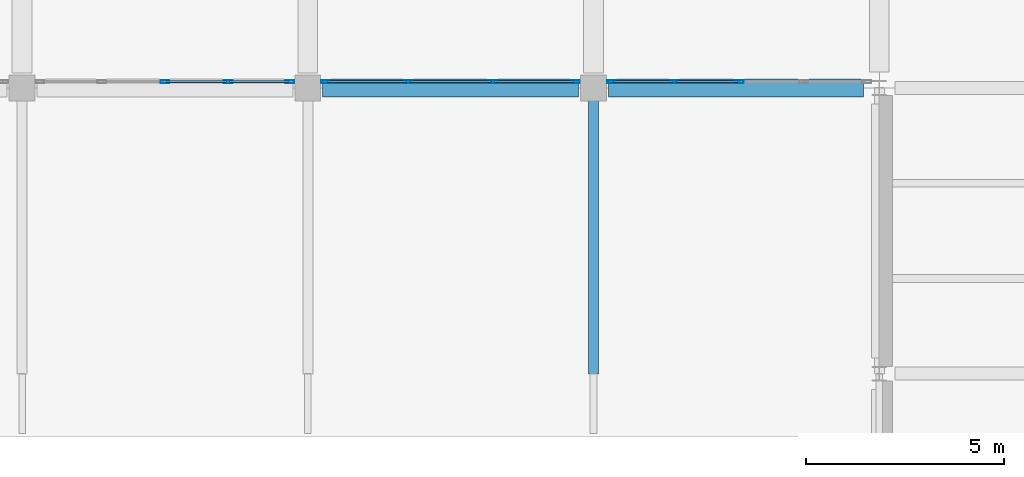
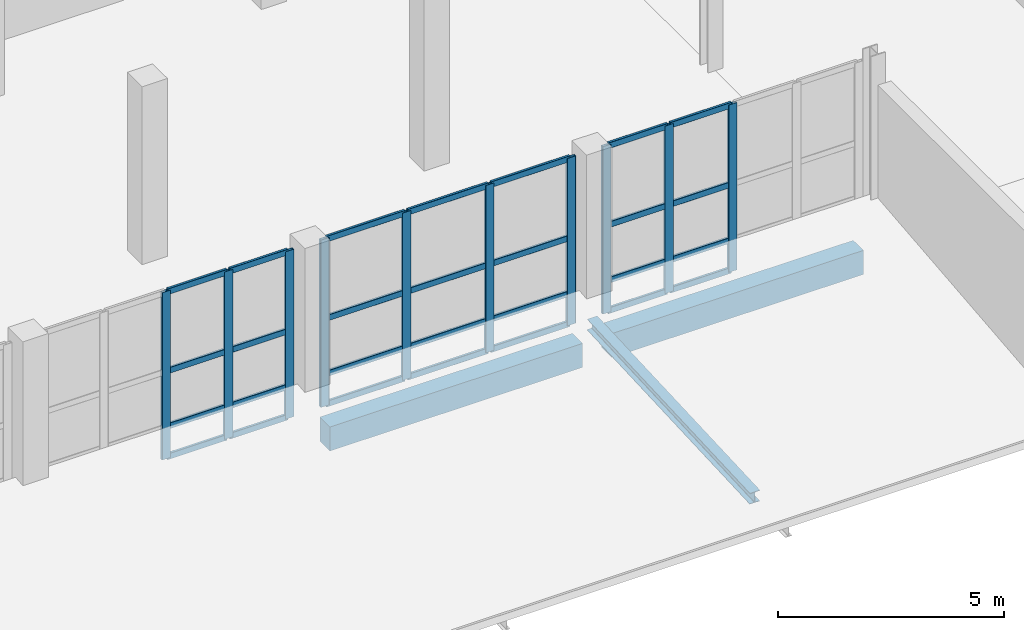
# One storey, part 30 of 127: 38 members, 3 beams, 3 elements without a shape of their own.
"""IFC4 building model written with IfcOpenShell, lengths in metres."""

import ifcopenshell
import ifcopenshell.guid

model = None  # the IFC model being written
_history = None  # IfcOwnerHistory: only IFC2X3 demands one
_inside = {}  # id of a spatial element -> (the spatial element, [elements in it])
_under = {}  # id of a project, library or spatial element -> (it, [spatial elements below it])
_declared = {}  # id of a project -> (the project, [libraries it declares])
_typed = {}  # id of a type object -> (the type object, [elements of that type])
_made_of = {}  # id of a material, layer set ... -> (it, [elements and type objects made of it])


def new_model(schema):
    """Start an empty IFC model of exactly this schema.

    Asked for "IFC4X3", IfcOpenShell would pick the latest addendum, in which some entities
    have other attributes; the version numbers below select the first issue.
    IFC2X3 requires an IfcOwnerHistory on every rooted entity: one is made here for all.
    """
    global model, _history
    if schema == "IFC4X3":
        model = ifcopenshell.file(schema_version=(4, 3, 0, 0))
    else:
        model = ifcopenshell.file(schema=schema)
    _inside.clear()
    _under.clear()
    _declared.clear()
    _typed.clear()
    _made_of.clear()
    _history = None
    if model.schema == "IFC2X3":
        org = make("IfcOrganization", Name="unknown")
        user = make(
            "IfcPersonAndOrganization",
            ThePerson=make("IfcPerson", FamilyName="unknown"),
            TheOrganization=org,
        )
        app = make(
            "IfcApplication",
            ApplicationDeveloper=org,
            Version="unknown",
            ApplicationFullName="unknown",
            ApplicationIdentifier="unknown",
        )
        _history = make(
            "IfcOwnerHistory",
            OwningUser=user,
            OwningApplication=app,
            ChangeAction="ADDED",
            CreationDate=0,
        )
    return model


def make(cls, **values):
    """One entity of the class cls with the attributes given. An attribute that is None is left unset."""
    return model.create_entity(
        cls, **{name: value for name, value in values.items() if value is not None}
    )


def rooted(cls, **values):
    """An entity with a GlobalId (a new one), such as an element, a storey or a relation."""
    return make(cls, GlobalId=ifcopenshell.guid.new(), OwnerHistory=_history, **values)


def si_unit(unit_type, name, prefix=None):
    """IfcSIUnit, for example si_unit("LENGTHUNIT", "METRE", prefix="MILLI")."""
    return make("IfcSIUnit", UnitType=unit_type, Prefix=prefix, Name=name)


def assignment(units):
    """IfcUnitAssignment: the units of a project."""
    return None if units is None else make("IfcUnitAssignment", Units=units)


def point(xyz):
    """IfcCartesianPoint."""
    return None if xyz is None else make("IfcCartesianPoint", Coordinates=xyz)


def direction(xyz):
    """IfcDirection."""
    return None if xyz is None else make("IfcDirection", DirectionRatios=xyz)


def frame(location, z_axis=None, x_axis=None):
    """IfcAxis2Placement3D, a coordinate frame: its origin and axes. An axis left out is left unset."""
    return make(
        "IfcAxis2Placement3D",
        Location=point(location),
        Axis=direction(z_axis),
        RefDirection=direction(x_axis),
    )


def frame_2d(location, x_axis=None):
    """IfcAxis2Placement2D, a coordinate frame in the plane: its origin and x axis."""
    return make(
        "IfcAxis2Placement2D", Location=point(location), RefDirection=direction(x_axis)
    )


def origin():
    """The frame at (0, 0, 0) with its axes left unset."""
    return frame((0.0, 0.0, 0.0))


def origin_2d():
    """The frame at (0, 0) in the plane with its x axis left unset."""
    return frame_2d((0.0, 0.0))


def place(relative_to, where):
    """IfcLocalPlacement: puts the frame where relative to a parent placement (None: the world)."""
    return make(
        "IfcLocalPlacement", PlacementRelTo=relative_to, RelativePlacement=where
    )


def context(
    kind, dimensions, precision=None, world=None, true_north=None, identifier=None
):
    """IfcGeometricRepresentationContext, for example the 3D "Model" context."""
    return make(
        "IfcGeometricRepresentationContext",
        ContextIdentifier=identifier,
        ContextType=kind,
        CoordinateSpaceDimension=dimensions,
        Precision=precision,
        WorldCoordinateSystem=world,
        TrueNorth=true_north,
    )


def subcontext(parent, identifier, kind, view, scale=None):
    """IfcGeometricRepresentationSubContext, for example "Body" below "Model"."""
    return make(
        "IfcGeometricRepresentationSubContext",
        ContextIdentifier=identifier,
        ContextType=kind,
        ParentContext=parent,
        TargetScale=scale,
        TargetView=view,
    )


def project(units=None, contexts=None):
    """IfcProject with its units and contexts."""
    return rooted(
        "IfcProject",
        Name="project",
        RepresentationContexts=contexts,
        UnitsInContext=assignment(units),
    )


def spatial(cls, under=None, at=None, **own):
    """A site, building, storey or space (cls), placed at a placement, below another one or the project."""
    s = rooted(cls, ObjectPlacement=at, **own)
    if under is not None:
        _under.setdefault(under.id(), (under, []))[1].append(s)
    return s


def profile(cls, at=None, kind="AREA", **sizes):
    """A parametric profile (cls). Its sizes go by their IFC names, for example OverallWidth=200.0."""
    return make(cls, ProfileType=kind, Position=at, **sizes)


def rectangle(**sizes):
    """IfcRectangleProfileDef."""
    return profile("IfcRectangleProfileDef", **sizes)


def hollow_rectangle(**sizes):
    """IfcRectangleHollowProfileDef."""
    return profile("IfcRectangleHollowProfileDef", **sizes)


def i_section(**sizes):
    """IfcIShapeProfileDef."""
    return profile("IfcIShapeProfileDef", **sizes)


def extrude(swept, where, along, depth):
    """IfcExtrudedAreaSolid: the profile swept, set in the frame where, extruded along a direction by depth."""
    return make(
        "IfcExtrudedAreaSolid",
        SweptArea=swept,
        Position=where,
        ExtrudedDirection=direction(along),
        Depth=depth,
    )


def shape(context_of_items, identifier, shape_type, items):
    """IfcShapeRepresentation: the items that make up one representation, for example the "Body"."""
    return make(
        "IfcShapeRepresentation",
        ContextOfItems=context_of_items,
        RepresentationIdentifier=identifier,
        RepresentationType=shape_type,
        Items=items,
    )


def material(Name=None, Category=None):
    """IfcMaterial."""
    return make("IfcMaterial", Name=Name, Category=Category)


def material_profile(
    of_material, cross_section, Name=None, Category=None, Priority=None
):
    """IfcMaterialProfile: a cross section and its material."""
    return make(
        "IfcMaterialProfile",
        Name=Name,
        Material=of_material,
        Profile=cross_section,
        Priority=Priority,
        Category=Category,
    )


def profile_set(profiles, Name=None, composite=None):
    """IfcMaterialProfileSet."""
    return make(
        "IfcMaterialProfileSet",
        Name=Name,
        MaterialProfiles=profiles,
        CompositeProfile=composite,
    )


def made_of(thing, what):
    """Note that an element or type object is made of a material, layer set ...; save() writes the relation."""
    if what is not None:
        _made_of.setdefault(what.id(), (what, []))[1].append(thing)
    return thing


def type_object(cls, material=None, **own):
    """A type object (cls), such as IfcWallType, which elements share."""
    return made_of(rooted(cls, **own), material)


def element(
    cls,
    number,
    at=None,
    inside=None,
    cuts=None,
    type_object=None,
    material=None,
    context=None,
    identifier="Body",
    shape_type=None,
    held_by="IfcProductDefinitionShape",
    body=None,
    shapes=None,
    **own,
):
    """One element of the class cls, such as IfcWall. Its Tag is "e" and its number.

    at: its placement. inside: the storey or other place that contains it. cuts: it is an
    opening in that element (IfcRelVoidsElement). A single representation is given by context,
    identifier, shape_type and body (its items); several are given by shapes. held_by: the class
    of the entity that holds the representations. save() writes the other relations.
    """
    e = rooted(cls, Tag="e%d" % number, ObjectPlacement=at, **own)
    if body is not None:
        shapes = [shape(context, identifier, shape_type, body)]
    if shapes is not None:
        e.Representation = make(held_by, Representations=shapes)
    if inside is not None:
        _inside.setdefault(inside.id(), (inside, []))[1].append(e)
    if cuts is not None:
        rooted(
            "IfcRelVoidsElement", RelatingBuildingElement=cuts, RelatedOpeningElement=e
        )
    if type_object is not None:
        _typed.setdefault(type_object.id(), (type_object, []))[1].append(e)
    return made_of(e, material)


def aggregate(whole, parts):
    """IfcRelAggregates: a whole, such as a stair, and the parts it consists of."""
    return rooted("IfcRelAggregates", RelatingObject=whole, RelatedObjects=parts)


def save(model, path):
    """Write the relations noted so far, then the file.

    IfcRelAggregates (storeys below a building ...), IfcRelContainedInSpatialStructure (elements
    in a storey), IfcRelDefinesByType, IfcRelAssociatesMaterial and IfcRelDeclares: one each for
    every whole, place, type object, material and project.
    """
    for whole, parts in _under.values():
        aggregate(whole, parts)
    for where, things in _inside.values():
        rooted(
            "IfcRelContainedInSpatialStructure",
            RelatedElements=things,
            RelatingStructure=where,
        )
    for kind, things in _typed.values():
        rooted("IfcRelDefinesByType", RelatedObjects=things, RelatingType=kind)
    for what, things in _made_of.values():
        rooted("IfcRelAssociatesMaterial", RelatedObjects=things, RelatingMaterial=what)
    for by, libraries in _declared.values():
        rooted("IfcRelDeclares", RelatingContext=by, RelatedDefinitions=libraries)
    model.write(path)


model = new_model("IFC4")

# Units and contexts
model_context = context("Model", 3, precision=1e-05, world=origin(), true_north=direction((0.0, 1.0)))
body_context = subcontext(model_context, "Body", "Model", "MODEL_VIEW")
ifc_project = project(units=[si_unit("LENGTHUNIT", "METRE"), si_unit("AREAUNIT", "SQUARE_METRE"), si_unit("VOLUMEUNIT", "CUBIC_METRE"), si_unit("PLANEANGLEUNIT", "RADIAN"), si_unit("MASSUNIT", "GRAM", prefix="KILO")], contexts=[model_context])

# Site, building, storey
site_placement = place(None, origin())
site = spatial("IfcSite", under=ifc_project, at=site_placement, CompositionType="ELEMENT")
building_placement = place(site_placement, origin())
building = spatial("IfcBuilding", under=site, at=building_placement, Name="Kalmorath City Hall", CompositionType="ELEMENT")
storey_placement = place(building_placement, frame((0.0, 0.0, 5.39990234375)))
storey = spatial("IfcBuildingStorey", under=building, at=storey_placement, Name="L01", CompositionType="ELEMENT", Elevation=5.39990234375)

# Beams
ifc_material_1 = material(Name="Concrete C40/50", Category="concrete")
ifc_material_profile_1 = material_profile(ifc_material_1, rectangle(XDim=0.449951171875, YDim=0.64990234375, at=origin_2d()), Name="RC-BM-450X650")
ifc_profile_set_1 = profile_set([ifc_material_profile_1], Name="Concrete C40/50")
beam_type_1 = type_object("IfcBeamType", Name="Concrete spandrel beam 450x650", PredefinedType="SPANDREL", material=ifc_profile_set_1)
beam_1_placement = place(storey_placement, frame((101.175048828125, 21.60009765625, -0.64892578125), z_axis=(1.0, 0.0, 0.0), x_axis=(0.0, 1.0, 0.0)))
element("IfcBeam", 1, at=beam_1_placement, inside=storey, type_object=beam_type_1, Name="L01 girder CB5 X15-16/4", PredefinedType="SPANDREL", context=body_context, shape_type="SweptSolid", body=[
    extrude(rectangle(XDim=0.449951171875, YDim=0.64990234375, at=origin_2d()), origin(), (0.0, 0.0, 1.0), 6.449951171875),
])
beam_2_placement = place(storey_placement, frame((108.375, 21.60009765625, -0.64892578125), z_axis=(1.0, 0.0, 0.0), x_axis=(0.0, 1.0, 0.0)))
element("IfcBeam", 2, at=beam_2_placement, inside=storey, type_object=beam_type_1, Name="L01 girder CB5 X16-17/4", PredefinedType="SPANDREL", context=body_context, shape_type="SweptSolid", body=[
    extrude(rectangle(XDim=0.449951171875, YDim=0.64990234375, at=origin_2d()), origin(), (0.0, 0.0, 1.0), 6.425048828125),
])

# Curtain wall, members
ifc_material_2 = material(Name="Anodised aluminium and laminated glass", Category="aluminium")
curtain_wall_type_1 = type_object("IfcCurtainWallType", Name="Unitised hurricane curtain wall 6508x4520 M1500", PredefinedType="NOTDEFINED", material=ifc_material_2)
curtain_wall_1_placement = place(storey_placement, origin())
curtain_wall_1 = element("IfcCurtainWall", 3, at=curtain_wall_1_placement, inside=storey, type_object=curtain_wall_type_1, Name="L01 curtain wall CW-65X45M15 #67", PredefinedType="NOTDEFINED")
ifc_material_3 = material(Name="Anodised aluminium framing", Category="aluminium")
ifc_material_profile_2 = material_profile(ifc_material_3, hollow_rectangle(XDim=0.074951171875, YDim=0.219970703125, WallThickness=0.00390625, InnerFilletRadius=0.00390625, OuterFilletRadius=0.008056640625, at=origin_2d()), Name="ALU-MUL-220X75X4")
ifc_profile_set_2 = profile_set([ifc_material_profile_2], Name="Anodised aluminium framing")
member_type_1 = type_object("IfcMemberType", Name="Curtain-wall primary mullion 220x75", PredefinedType="MULLION", material=ifc_profile_set_2)
member_1_placement = place(storey_placement, frame((111.6689453125, 21.760009765625, 0.0), z_axis=(0.0, 0.0, 1.0), x_axis=(0.0, -1.0, 0.0)))
member_1 = element("IfcMember", 4, at=member_1_placement, type_object=member_type_1, Name="CW-65X45M15 mullion 3", PredefinedType="MULLION", context=body_context, shape_type="SweptSolid", body=[
    extrude(hollow_rectangle(XDim=0.074951171875, YDim=0.219970703125, WallThickness=0.00390625, InnerFilletRadius=0.00390625, OuterFilletRadius=0.008056640625, at=origin_2d()), origin(), (0.0, 0.0, 1.0), 4.52001953125),
])
member_2_placement = place(storey_placement, frame((110.0419921875, 21.760009765625, 0.0), z_axis=(0.0, 0.0, 1.0), x_axis=(0.0, -1.0, 0.0)))
member_2 = element("IfcMember", 5, at=member_2_placement, type_object=member_type_1, Name="CW-65X45M15 mullion 4", PredefinedType="MULLION", context=body_context, shape_type="SweptSolid", body=[
    extrude(hollow_rectangle(XDim=0.074951171875, YDim=0.219970703125, WallThickness=0.00390625, InnerFilletRadius=0.00390625, OuterFilletRadius=0.008056640625, at=origin_2d()), origin(), (0.0, 0.0, 1.0), 4.52001953125),
])
member_3_placement = place(storey_placement, frame((108.452392578125, 21.760009765625, 0.0), z_axis=(0.0, 0.0, 1.0), x_axis=(0.0, -1.0, 0.0)))
member_3 = element("IfcMember", 6, at=member_3_placement, type_object=member_type_1, Name="CW-65X45M15 mullion 5", PredefinedType="MULLION", context=body_context, shape_type="SweptSolid", body=[
    extrude(hollow_rectangle(XDim=0.074951171875, YDim=0.219970703125, WallThickness=0.00390625, InnerFilletRadius=0.00390625, OuterFilletRadius=0.008056640625, at=origin_2d()), origin(), (0.0, 0.0, 1.0), 4.52001953125),
])

ifc_material_4 = material(Name="Anodised aluminium and laminated glass", Category="aluminium")
curtain_wall_type_2 = type_object("IfcCurtainWallType", Name="Unitised hurricane curtain wall 6370x4520 M2100", PredefinedType="NOTDEFINED", material=ifc_material_4)
curtain_wall_2_placement = place(storey_placement, origin())
curtain_wall_2 = element("IfcCurtainWall", 7, at=curtain_wall_2_placement, inside=storey, type_object=curtain_wall_type_2, Name="L01 curtain wall CW-64X45M21 #68", PredefinedType="NOTDEFINED")
member_4_placement = place(storey_placement, frame((107.547607421875, 21.760009765625, 0.0), z_axis=(0.0, 0.0, 1.0), x_axis=(0.0, -1.0, 0.0)))
member_4 = element("IfcMember", 8, at=member_4_placement, type_object=member_type_1, Name="CW-64X45M21 mullion 1", PredefinedType="MULLION", context=body_context, shape_type="SweptSolid", body=[
    extrude(hollow_rectangle(XDim=0.074951171875, YDim=0.219970703125, WallThickness=0.00390625, InnerFilletRadius=0.00390625, OuterFilletRadius=0.008056640625, at=origin_2d()), origin(), (0.0, 0.0, 1.0), 4.52001953125),
])
member_5_placement = place(storey_placement, frame((105.461669921875, 21.760009765625, 0.0), z_axis=(0.0, 0.0, 1.0), x_axis=(0.0, -1.0, 0.0)))
member_5 = element("IfcMember", 9, at=member_5_placement, type_object=member_type_1, Name="CW-64X45M21 mullion 2", PredefinedType="MULLION", context=body_context, shape_type="SweptSolid", body=[
    extrude(hollow_rectangle(XDim=0.074951171875, YDim=0.219970703125, WallThickness=0.00390625, InnerFilletRadius=0.00390625, OuterFilletRadius=0.008056640625, at=origin_2d()), origin(), (0.0, 0.0, 1.0), 4.52001953125),
])
member_6_placement = place(storey_placement, frame((103.33837890625, 21.760009765625, 0.0), z_axis=(0.0, 0.0, 1.0), x_axis=(0.0, -1.0, 0.0)))
member_6 = element("IfcMember", 10, at=member_6_placement, type_object=member_type_1, Name="CW-64X45M21 mullion 3", PredefinedType="MULLION", context=body_context, shape_type="SweptSolid", body=[
    extrude(hollow_rectangle(XDim=0.074951171875, YDim=0.219970703125, WallThickness=0.00390625, InnerFilletRadius=0.00390625, OuterFilletRadius=0.008056640625, at=origin_2d()), origin(), (0.0, 0.0, 1.0), 4.52001953125),
])
member_7_placement = place(storey_placement, frame((101.25244140625, 21.760009765625, 0.0), z_axis=(0.0, 0.0, 1.0), x_axis=(0.0, -1.0, 0.0)))
member_7 = element("IfcMember", 11, at=member_7_placement, type_object=member_type_1, Name="CW-64X45M21 mullion 4", PredefinedType="MULLION", context=body_context, shape_type="SweptSolid", body=[
    extrude(hollow_rectangle(XDim=0.074951171875, YDim=0.219970703125, WallThickness=0.00390625, InnerFilletRadius=0.00390625, OuterFilletRadius=0.008056640625, at=origin_2d()), origin(), (0.0, 0.0, 1.0), 4.52001953125),
])

ifc_material_5 = material(Name="Anodised aluminium and laminated glass", Category="aluminium")
curtain_wall_type_3 = type_object("IfcCurtainWallType", Name="Unitised hurricane curtain wall 6370x4520 M1500", PredefinedType="NOTDEFINED", material=ifc_material_5)
curtain_wall_3_placement = place(storey_placement, origin())
curtain_wall_3 = element("IfcCurtainWall", 12, at=curtain_wall_3_placement, inside=storey, type_object=curtain_wall_type_3, Name="L01 curtain wall CW-64X45M15 #69", PredefinedType="NOTDEFINED")
member_8_placement = place(storey_placement, frame((100.347412109375, 21.760009765625, 0.0), z_axis=(0.0, 0.0, 1.0), x_axis=(0.0, -1.0, 0.0)))
member_8 = element("IfcMember", 13, at=member_8_placement, type_object=member_type_1, Name="CW-64X45M15 mullion 1", PredefinedType="MULLION", context=body_context, shape_type="SweptSolid", body=[
    extrude(hollow_rectangle(XDim=0.074951171875, YDim=0.219970703125, WallThickness=0.00390625, InnerFilletRadius=0.00390625, OuterFilletRadius=0.008056640625, at=origin_2d()), origin(), (0.0, 0.0, 1.0), 4.52001953125),
])
member_9_placement = place(storey_placement, frame((98.79248046875, 21.760009765625, 0.0), z_axis=(0.0, 0.0, 1.0), x_axis=(0.0, -1.0, 0.0)))
member_9 = element("IfcMember", 14, at=member_9_placement, type_object=member_type_1, Name="CW-64X45M15 mullion 2", PredefinedType="MULLION", context=body_context, shape_type="SweptSolid", body=[
    extrude(hollow_rectangle(XDim=0.074951171875, YDim=0.219970703125, WallThickness=0.00390625, InnerFilletRadius=0.00390625, OuterFilletRadius=0.008056640625, at=origin_2d()), origin(), (0.0, 0.0, 1.0), 4.52001953125),
])
member_10_placement = place(storey_placement, frame((97.199951171875, 21.760009765625, 0.0), z_axis=(0.0, 0.0, 1.0), x_axis=(0.0, -1.0, 0.0)))
member_10 = element("IfcMember", 15, at=member_10_placement, type_object=member_type_1, Name="CW-64X45M15 mullion 3", PredefinedType="MULLION", context=body_context, shape_type="SweptSolid", body=[
    extrude(hollow_rectangle(XDim=0.074951171875, YDim=0.219970703125, WallThickness=0.00390625, InnerFilletRadius=0.00390625, OuterFilletRadius=0.008056640625, at=origin_2d()), origin(), (0.0, 0.0, 1.0), 4.52001953125),
])

# Member
ifc_material_6 = material(Name="Anodised aluminium framing", Category="aluminium")
ifc_material_profile_3 = material_profile(ifc_material_6, hollow_rectangle(XDim=0.06494140625, YDim=0.159912109375, WallThickness=0.00390625, InnerFilletRadius=0.00390625, OuterFilletRadius=0.008056640625, at=origin_2d()), Name="ALU-TRN-160X65X4")
ifc_profile_set_3 = profile_set([ifc_material_profile_3], Name="Anodised aluminium framing")
member_type_2 = type_object("IfcMemberType", Name="Curtain-wall primary transom 160x65", PredefinedType="USERDEFINED", material=ifc_profile_set_3)
member_11_placement = place(storey_placement, frame((111.631591796875, 21.760009765625, 0.03271484375), z_axis=(-1.0, 0.0, 0.0), x_axis=(0.0, -1.0, 0.0)))
member_11 = element("IfcMember", 16, at=member_11_placement, type_object=member_type_2, Name="CW-65X45M15 transom 3.1", ObjectType="TRANSOM", PredefinedType="USERDEFINED", context=body_context, shape_type="SweptSolid", body=[
    extrude(hollow_rectangle(XDim=0.06494140625, YDim=0.159912109375, WallThickness=0.00390625, InnerFilletRadius=0.00390625, OuterFilletRadius=0.008056640625, at=origin_2d()), origin(), (0.0, 0.0, 1.0), 1.552001953125),
])

member_12_placement = place(storey_placement, frame((111.631591796875, 21.760009765625, 0.85009765625), z_axis=(-1.0, 0.0, 0.0), x_axis=(0.0, -1.0, 0.0)))
member_12 = element("IfcMember", 17, at=member_12_placement, type_object=member_type_2, Name="CW-65X45M15 transom 3.2", ObjectType="TRANSOM", PredefinedType="USERDEFINED", context=body_context, shape_type="SweptSolid", body=[
    extrude(hollow_rectangle(XDim=0.06494140625, YDim=0.159912109375, WallThickness=0.00390625, InnerFilletRadius=0.00390625, OuterFilletRadius=0.008056640625, at=origin_2d()), origin(), (0.0, 0.0, 1.0), 1.552001953125),
])

member_13_placement = place(storey_placement, frame((111.631591796875, 21.760009765625, 2.35009765625), z_axis=(-1.0, 0.0, 0.0), x_axis=(0.0, -1.0, 0.0)))
member_13 = element("IfcMember", 18, at=member_13_placement, type_object=member_type_2, Name="CW-65X45M15 transom 3.3", ObjectType="TRANSOM", PredefinedType="USERDEFINED", context=body_context, shape_type="SweptSolid", body=[
    extrude(hollow_rectangle(XDim=0.06494140625, YDim=0.159912109375, WallThickness=0.00390625, InnerFilletRadius=0.00390625, OuterFilletRadius=0.008056640625, at=origin_2d()), origin(), (0.0, 0.0, 1.0), 1.552001953125),
])

member_14_placement = place(storey_placement, frame((111.631591796875, 21.760009765625, 4.487548828125), z_axis=(-1.0, 0.0, 0.0), x_axis=(0.0, -1.0, 0.0)))
member_14 = element("IfcMember", 19, at=member_14_placement, type_object=member_type_2, Name="CW-65X45M15 transom 3.4", ObjectType="TRANSOM", PredefinedType="USERDEFINED", context=body_context, shape_type="SweptSolid", body=[
    extrude(hollow_rectangle(XDim=0.06494140625, YDim=0.159912109375, WallThickness=0.00390625, InnerFilletRadius=0.00390625, OuterFilletRadius=0.008056640625, at=origin_2d()), origin(), (0.0, 0.0, 1.0), 1.552001953125),
])

member_15_placement = place(storey_placement, frame((110.00439453125, 21.760009765625, 0.03271484375), z_axis=(-1.0, 0.0, 0.0), x_axis=(0.0, -1.0, 0.0)))
member_15 = element("IfcMember", 20, at=member_15_placement, type_object=member_type_2, Name="CW-65X45M15 transom 4.1", ObjectType="TRANSOM", PredefinedType="USERDEFINED", context=body_context, shape_type="SweptSolid", body=[
    extrude(hollow_rectangle(XDim=0.06494140625, YDim=0.159912109375, WallThickness=0.00390625, InnerFilletRadius=0.00390625, OuterFilletRadius=0.008056640625, at=origin_2d()), origin(), (0.0, 0.0, 1.0), 1.514404296875),
])

member_16_placement = place(storey_placement, frame((110.00439453125, 21.760009765625, 0.85009765625), z_axis=(-1.0, 0.0, 0.0), x_axis=(0.0, -1.0, 0.0)))
member_16 = element("IfcMember", 21, at=member_16_placement, type_object=member_type_2, Name="CW-65X45M15 transom 4.2", ObjectType="TRANSOM", PredefinedType="USERDEFINED", context=body_context, shape_type="SweptSolid", body=[
    extrude(hollow_rectangle(XDim=0.06494140625, YDim=0.159912109375, WallThickness=0.00390625, InnerFilletRadius=0.00390625, OuterFilletRadius=0.008056640625, at=origin_2d()), origin(), (0.0, 0.0, 1.0), 1.514404296875),
])

member_17_placement = place(storey_placement, frame((110.00439453125, 21.760009765625, 2.35009765625), z_axis=(-1.0, 0.0, 0.0), x_axis=(0.0, -1.0, 0.0)))
member_17 = element("IfcMember", 22, at=member_17_placement, type_object=member_type_2, Name="CW-65X45M15 transom 4.3", ObjectType="TRANSOM", PredefinedType="USERDEFINED", context=body_context, shape_type="SweptSolid", body=[
    extrude(hollow_rectangle(XDim=0.06494140625, YDim=0.159912109375, WallThickness=0.00390625, InnerFilletRadius=0.00390625, OuterFilletRadius=0.008056640625, at=origin_2d()), origin(), (0.0, 0.0, 1.0), 1.514404296875),
])

member_18_placement = place(storey_placement, frame((110.00439453125, 21.760009765625, 4.487548828125), z_axis=(-1.0, 0.0, 0.0), x_axis=(0.0, -1.0, 0.0)))
member_18 = element("IfcMember", 23, at=member_18_placement, type_object=member_type_2, Name="CW-65X45M15 transom 4.4", ObjectType="TRANSOM", PredefinedType="USERDEFINED", context=body_context, shape_type="SweptSolid", body=[
    extrude(hollow_rectangle(XDim=0.06494140625, YDim=0.159912109375, WallThickness=0.00390625, InnerFilletRadius=0.00390625, OuterFilletRadius=0.008056640625, at=origin_2d()), origin(), (0.0, 0.0, 1.0), 1.514404296875),
])

aggregate(curtain_wall_1, [member_1, member_2, member_3, member_11, member_12, member_13, member_14, member_15, member_16, member_17, member_18])

member_19_placement = place(storey_placement, frame((107.510009765625, 21.760009765625, 0.03271484375), z_axis=(-1.0, 0.0, 0.0), x_axis=(0.0, -1.0, 0.0)))
member_19 = element("IfcMember", 24, at=member_19_placement, type_object=member_type_2, Name="CW-64X45M21 transom 1.1", ObjectType="TRANSOM", PredefinedType="USERDEFINED", context=body_context, shape_type="SweptSolid", body=[
    extrude(hollow_rectangle(XDim=0.06494140625, YDim=0.159912109375, WallThickness=0.00390625, InnerFilletRadius=0.00390625, OuterFilletRadius=0.008056640625, at=origin_2d()), origin(), (0.0, 0.0, 1.0), 2.0107421875),
])

member_20_placement = place(storey_placement, frame((107.510009765625, 21.760009765625, 0.85009765625), z_axis=(-1.0, 0.0, 0.0), x_axis=(0.0, -1.0, 0.0)))
member_20 = element("IfcMember", 25, at=member_20_placement, type_object=member_type_2, Name="CW-64X45M21 transom 1.2", ObjectType="TRANSOM", PredefinedType="USERDEFINED", context=body_context, shape_type="SweptSolid", body=[
    extrude(hollow_rectangle(XDim=0.06494140625, YDim=0.159912109375, WallThickness=0.00390625, InnerFilletRadius=0.00390625, OuterFilletRadius=0.008056640625, at=origin_2d()), origin(), (0.0, 0.0, 1.0), 2.0107421875),
])

member_21_placement = place(storey_placement, frame((107.510009765625, 21.760009765625, 2.35009765625), z_axis=(-1.0, 0.0, 0.0), x_axis=(0.0, -1.0, 0.0)))
member_21 = element("IfcMember", 26, at=member_21_placement, type_object=member_type_2, Name="CW-64X45M21 transom 1.3", ObjectType="TRANSOM", PredefinedType="USERDEFINED", context=body_context, shape_type="SweptSolid", body=[
    extrude(hollow_rectangle(XDim=0.06494140625, YDim=0.159912109375, WallThickness=0.00390625, InnerFilletRadius=0.00390625, OuterFilletRadius=0.008056640625, at=origin_2d()), origin(), (0.0, 0.0, 1.0), 2.0107421875),
])

member_22_placement = place(storey_placement, frame((107.510009765625, 21.760009765625, 4.487548828125), z_axis=(-1.0, 0.0, 0.0), x_axis=(0.0, -1.0, 0.0)))
member_22 = element("IfcMember", 27, at=member_22_placement, type_object=member_type_2, Name="CW-64X45M21 transom 1.4", ObjectType="TRANSOM", PredefinedType="USERDEFINED", context=body_context, shape_type="SweptSolid", body=[
    extrude(hollow_rectangle(XDim=0.06494140625, YDim=0.159912109375, WallThickness=0.00390625, InnerFilletRadius=0.00390625, OuterFilletRadius=0.008056640625, at=origin_2d()), origin(), (0.0, 0.0, 1.0), 2.0107421875),
])

member_23_placement = place(storey_placement, frame((105.424072265625, 21.760009765625, 0.03271484375), z_axis=(-1.0, 0.0, 0.0), x_axis=(0.0, -1.0, 0.0)))
member_23 = element("IfcMember", 28, at=member_23_placement, type_object=member_type_2, Name="CW-64X45M21 transom 2.1", ObjectType="TRANSOM", PredefinedType="USERDEFINED", context=body_context, shape_type="SweptSolid", body=[
    extrude(hollow_rectangle(XDim=0.06494140625, YDim=0.159912109375, WallThickness=0.00390625, InnerFilletRadius=0.00390625, OuterFilletRadius=0.008056640625, at=origin_2d()), origin(), (0.0, 0.0, 1.0), 2.04833984375),
])

member_24_placement = place(storey_placement, frame((105.424072265625, 21.760009765625, 0.85009765625), z_axis=(-1.0, 0.0, 0.0), x_axis=(0.0, -1.0, 0.0)))
member_24 = element("IfcMember", 29, at=member_24_placement, type_object=member_type_2, Name="CW-64X45M21 transom 2.2", ObjectType="TRANSOM", PredefinedType="USERDEFINED", context=body_context, shape_type="SweptSolid", body=[
    extrude(hollow_rectangle(XDim=0.06494140625, YDim=0.159912109375, WallThickness=0.00390625, InnerFilletRadius=0.00390625, OuterFilletRadius=0.008056640625, at=origin_2d()), origin(), (0.0, 0.0, 1.0), 2.04833984375),
])

member_25_placement = place(storey_placement, frame((105.424072265625, 21.760009765625, 2.35009765625), z_axis=(-1.0, 0.0, 0.0), x_axis=(0.0, -1.0, 0.0)))
member_25 = element("IfcMember", 30, at=member_25_placement, type_object=member_type_2, Name="CW-64X45M21 transom 2.3", ObjectType="TRANSOM", PredefinedType="USERDEFINED", context=body_context, shape_type="SweptSolid", body=[
    extrude(hollow_rectangle(XDim=0.06494140625, YDim=0.159912109375, WallThickness=0.00390625, InnerFilletRadius=0.00390625, OuterFilletRadius=0.008056640625, at=origin_2d()), origin(), (0.0, 0.0, 1.0), 2.04833984375),
])

member_26_placement = place(storey_placement, frame((105.424072265625, 21.760009765625, 4.487548828125), z_axis=(-1.0, 0.0, 0.0), x_axis=(0.0, -1.0, 0.0)))
member_26 = element("IfcMember", 31, at=member_26_placement, type_object=member_type_2, Name="CW-64X45M21 transom 2.4", ObjectType="TRANSOM", PredefinedType="USERDEFINED", context=body_context, shape_type="SweptSolid", body=[
    extrude(hollow_rectangle(XDim=0.06494140625, YDim=0.159912109375, WallThickness=0.00390625, InnerFilletRadius=0.00390625, OuterFilletRadius=0.008056640625, at=origin_2d()), origin(), (0.0, 0.0, 1.0), 2.04833984375),
])

member_27_placement = place(storey_placement, frame((103.30078125, 21.760009765625, 0.03271484375), z_axis=(-1.0, 0.0, 0.0), x_axis=(0.0, -1.0, 0.0)))
member_27 = element("IfcMember", 32, at=member_27_placement, type_object=member_type_2, Name="CW-64X45M21 transom 3.1", ObjectType="TRANSOM", PredefinedType="USERDEFINED", context=body_context, shape_type="SweptSolid", body=[
    extrude(hollow_rectangle(XDim=0.06494140625, YDim=0.159912109375, WallThickness=0.00390625, InnerFilletRadius=0.00390625, OuterFilletRadius=0.008056640625, at=origin_2d()), origin(), (0.0, 0.0, 1.0), 2.0107421875),
])

member_28_placement = place(storey_placement, frame((103.30078125, 21.760009765625, 0.85009765625), z_axis=(-1.0, 0.0, 0.0), x_axis=(0.0, -1.0, 0.0)))
member_28 = element("IfcMember", 33, at=member_28_placement, type_object=member_type_2, Name="CW-64X45M21 transom 3.2", ObjectType="TRANSOM", PredefinedType="USERDEFINED", context=body_context, shape_type="SweptSolid", body=[
    extrude(hollow_rectangle(XDim=0.06494140625, YDim=0.159912109375, WallThickness=0.00390625, InnerFilletRadius=0.00390625, OuterFilletRadius=0.008056640625, at=origin_2d()), origin(), (0.0, 0.0, 1.0), 2.0107421875),
])

member_29_placement = place(storey_placement, frame((103.30078125, 21.760009765625, 2.35009765625), z_axis=(-1.0, 0.0, 0.0), x_axis=(0.0, -1.0, 0.0)))
member_29 = element("IfcMember", 34, at=member_29_placement, type_object=member_type_2, Name="CW-64X45M21 transom 3.3", ObjectType="TRANSOM", PredefinedType="USERDEFINED", context=body_context, shape_type="SweptSolid", body=[
    extrude(hollow_rectangle(XDim=0.06494140625, YDim=0.159912109375, WallThickness=0.00390625, InnerFilletRadius=0.00390625, OuterFilletRadius=0.008056640625, at=origin_2d()), origin(), (0.0, 0.0, 1.0), 2.0107421875),
])

member_30_placement = place(storey_placement, frame((103.30078125, 21.760009765625, 4.487548828125), z_axis=(-1.0, 0.0, 0.0), x_axis=(0.0, -1.0, 0.0)))
member_30 = element("IfcMember", 35, at=member_30_placement, type_object=member_type_2, Name="CW-64X45M21 transom 3.4", ObjectType="TRANSOM", PredefinedType="USERDEFINED", context=body_context, shape_type="SweptSolid", body=[
    extrude(hollow_rectangle(XDim=0.06494140625, YDim=0.159912109375, WallThickness=0.00390625, InnerFilletRadius=0.00390625, OuterFilletRadius=0.008056640625, at=origin_2d()), origin(), (0.0, 0.0, 1.0), 2.0107421875),
])

aggregate(curtain_wall_2, [member_4, member_5, member_6, member_7, member_19, member_20, member_21, member_22, member_23, member_24, member_25, member_26, member_27, member_28, member_29, member_30])

member_31_placement = place(storey_placement, frame((100.31005859375, 21.760009765625, 0.03271484375), z_axis=(-1.0, 0.0, 0.0), x_axis=(0.0, -1.0, 0.0)))
member_31 = element("IfcMember", 36, at=member_31_placement, type_object=member_type_2, Name="CW-64X45M15 transom 1.1", ObjectType="TRANSOM", PredefinedType="USERDEFINED", context=body_context, shape_type="SweptSolid", body=[
    extrude(hollow_rectangle(XDim=0.06494140625, YDim=0.159912109375, WallThickness=0.00390625, InnerFilletRadius=0.00390625, OuterFilletRadius=0.008056640625, at=origin_2d()), origin(), (0.0, 0.0, 1.0), 1.47998046875),
])

member_32_placement = place(storey_placement, frame((100.31005859375, 21.760009765625, 0.85009765625), z_axis=(-1.0, 0.0, 0.0), x_axis=(0.0, -1.0, 0.0)))
member_32 = element("IfcMember", 37, at=member_32_placement, type_object=member_type_2, Name="CW-64X45M15 transom 1.2", ObjectType="TRANSOM", PredefinedType="USERDEFINED", context=body_context, shape_type="SweptSolid", body=[
    extrude(hollow_rectangle(XDim=0.06494140625, YDim=0.159912109375, WallThickness=0.00390625, InnerFilletRadius=0.00390625, OuterFilletRadius=0.008056640625, at=origin_2d()), origin(), (0.0, 0.0, 1.0), 1.47998046875),
])

member_33_placement = place(storey_placement, frame((100.31005859375, 21.760009765625, 2.35009765625), z_axis=(-1.0, 0.0, 0.0), x_axis=(0.0, -1.0, 0.0)))
member_33 = element("IfcMember", 38, at=member_33_placement, type_object=member_type_2, Name="CW-64X45M15 transom 1.3", ObjectType="TRANSOM", PredefinedType="USERDEFINED", context=body_context, shape_type="SweptSolid", body=[
    extrude(hollow_rectangle(XDim=0.06494140625, YDim=0.159912109375, WallThickness=0.00390625, InnerFilletRadius=0.00390625, OuterFilletRadius=0.008056640625, at=origin_2d()), origin(), (0.0, 0.0, 1.0), 1.47998046875),
])

member_34_placement = place(storey_placement, frame((100.31005859375, 21.760009765625, 4.487548828125), z_axis=(-1.0, 0.0, 0.0), x_axis=(0.0, -1.0, 0.0)))
member_34 = element("IfcMember", 39, at=member_34_placement, type_object=member_type_2, Name="CW-64X45M15 transom 1.4", ObjectType="TRANSOM", PredefinedType="USERDEFINED", context=body_context, shape_type="SweptSolid", body=[
    extrude(hollow_rectangle(XDim=0.06494140625, YDim=0.159912109375, WallThickness=0.00390625, InnerFilletRadius=0.00390625, OuterFilletRadius=0.008056640625, at=origin_2d()), origin(), (0.0, 0.0, 1.0), 1.47998046875),
])

member_35_placement = place(storey_placement, frame((98.7548828125, 21.760009765625, 0.03271484375), z_axis=(-1.0, 0.0, 0.0), x_axis=(0.0, -1.0, 0.0)))
member_35 = element("IfcMember", 40, at=member_35_placement, type_object=member_type_2, Name="CW-64X45M15 transom 2.1", ObjectType="TRANSOM", PredefinedType="USERDEFINED", context=body_context, shape_type="SweptSolid", body=[
    extrude(hollow_rectangle(XDim=0.06494140625, YDim=0.159912109375, WallThickness=0.00390625, InnerFilletRadius=0.00390625, OuterFilletRadius=0.008056640625, at=origin_2d()), origin(), (0.0, 0.0, 1.0), 1.517333984375),
])

member_36_placement = place(storey_placement, frame((98.7548828125, 21.760009765625, 0.85009765625), z_axis=(-1.0, 0.0, 0.0), x_axis=(0.0, -1.0, 0.0)))
member_36 = element("IfcMember", 41, at=member_36_placement, type_object=member_type_2, Name="CW-64X45M15 transom 2.2", ObjectType="TRANSOM", PredefinedType="USERDEFINED", context=body_context, shape_type="SweptSolid", body=[
    extrude(hollow_rectangle(XDim=0.06494140625, YDim=0.159912109375, WallThickness=0.00390625, InnerFilletRadius=0.00390625, OuterFilletRadius=0.008056640625, at=origin_2d()), origin(), (0.0, 0.0, 1.0), 1.517333984375),
])

member_37_placement = place(storey_placement, frame((98.7548828125, 21.760009765625, 2.35009765625), z_axis=(-1.0, 0.0, 0.0), x_axis=(0.0, -1.0, 0.0)))
member_37 = element("IfcMember", 42, at=member_37_placement, type_object=member_type_2, Name="CW-64X45M15 transom 2.3", ObjectType="TRANSOM", PredefinedType="USERDEFINED", context=body_context, shape_type="SweptSolid", body=[
    extrude(hollow_rectangle(XDim=0.06494140625, YDim=0.159912109375, WallThickness=0.00390625, InnerFilletRadius=0.00390625, OuterFilletRadius=0.008056640625, at=origin_2d()), origin(), (0.0, 0.0, 1.0), 1.517333984375),
])

member_38_placement = place(storey_placement, frame((98.7548828125, 21.760009765625, 4.487548828125), z_axis=(-1.0, 0.0, 0.0), x_axis=(0.0, -1.0, 0.0)))
member_38 = element("IfcMember", 43, at=member_38_placement, type_object=member_type_2, Name="CW-64X45M15 transom 2.4", ObjectType="TRANSOM", PredefinedType="USERDEFINED", context=body_context, shape_type="SweptSolid", body=[
    extrude(hollow_rectangle(XDim=0.06494140625, YDim=0.159912109375, WallThickness=0.00390625, InnerFilletRadius=0.00390625, OuterFilletRadius=0.008056640625, at=origin_2d()), origin(), (0.0, 0.0, 1.0), 1.517333984375),
])

aggregate(curtain_wall_3, [member_8, member_9, member_10, member_31, member_32, member_33, member_34, member_35, member_36, member_37, member_38])

# Beam
ifc_material_7 = material(Name="Steel ASTM A992 Grade 50", Category="steel")
ifc_material_profile_4 = material_profile(ifc_material_7, i_section(OverallWidth=0.25390625, OverallDepth=0.305908203125, WebThickness=0.0087890625, FlangeThickness=0.0146484375, FilletRadius=0.014892578125, at=origin_2d()), Name="W12X53")
ifc_profile_set_4 = profile_set([ifc_material_profile_4], Name="Steel ASTM A992 Grade 50")
beam_type_2 = type_object("IfcBeamType", Name="Steel canopy beam W12X53", PredefinedType="BEAM", material=ifc_profile_set_4)
beam_3_placement = place(storey_placement, frame((108.0, 14.39990234375, -0.3798828125), z_axis=(0.0, 0.998886377864, 0.047180548093), x_axis=(-1.0, 0.0, 0.0)))
element("IfcBeam", 44, at=beam_3_placement, inside=storey, type_object=beam_type_2, Name="Storm arcade canopy beam SJ11-11", PredefinedType="BEAM", context=body_context, shape_type="SweptSolid", body=[
    extrude(i_section(OverallWidth=0.25390625, OverallDepth=0.305908203125, WebThickness=0.0087890625, FlangeThickness=0.0146484375, FilletRadius=0.014892578125, at=origin_2d()), origin(), (0.0, 0.0, 1.0), 7.208251953125),
])

save(model, "model.ifc")
